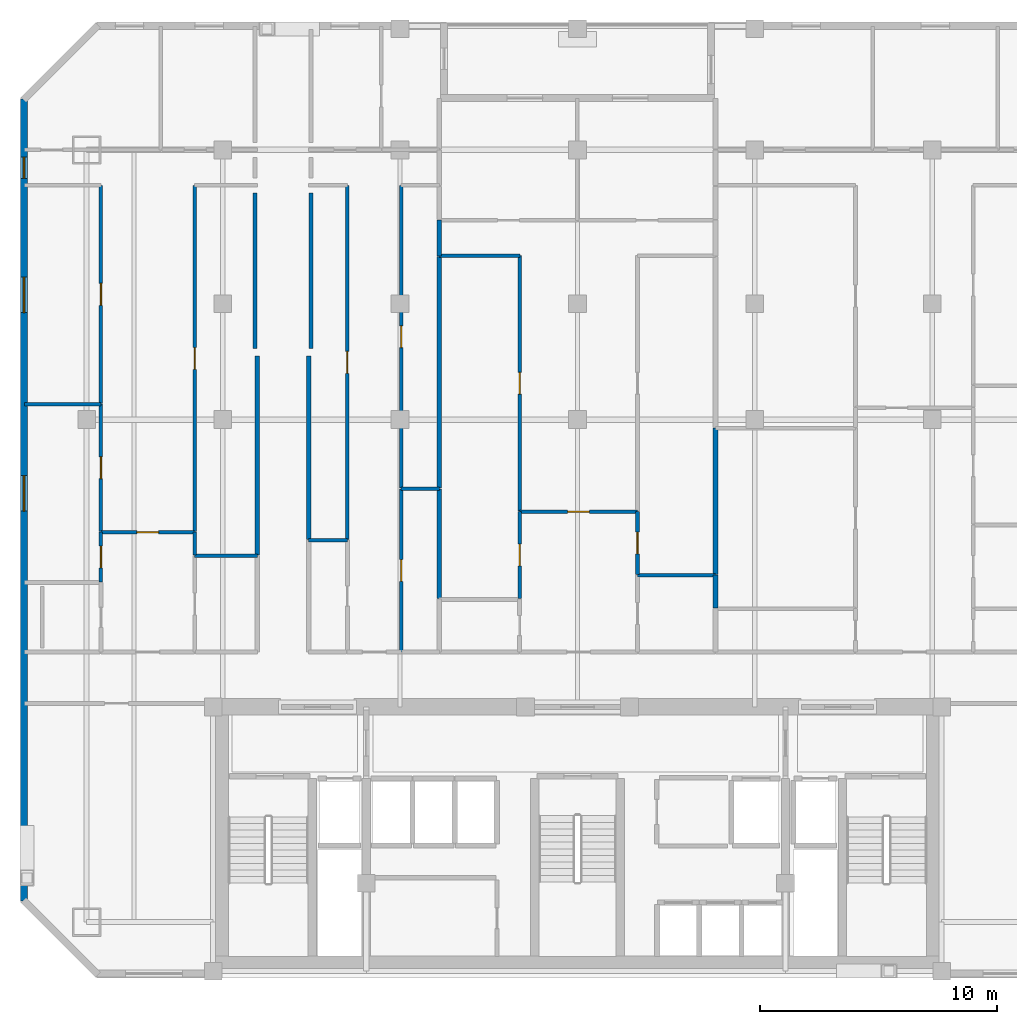
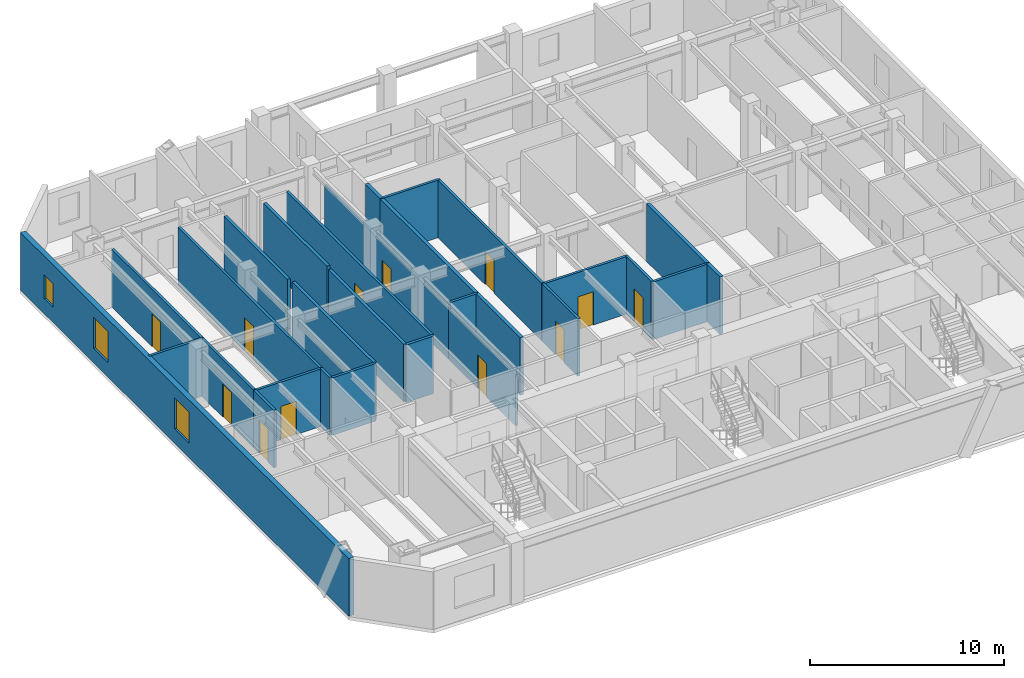
# One storey, part 4 of 8: 29 walls, 12 doors, 3 windows, 15 openings.
"""IFC4 building model written with IfcOpenShell, lengths in metres."""

from ifc_helpers import new_model, si_unit, direction, frame, frame_2d, origin, place, context, subcontext, project, spatial, rectangle, extrude, material, layer, layer_set, type_object, element, fill, save


model = new_model("IFC4")

# Units and contexts
model_context = context("Model", 3, precision=1e-05, world=origin(), true_north=direction((0.0, 1.0)))
body_context = subcontext(model_context, "Body", "Model", "MODEL_VIEW")
ifc_project = project(units=[si_unit("LENGTHUNIT", "METRE"), si_unit("AREAUNIT", "SQUARE_METRE"), si_unit("VOLUMEUNIT", "CUBIC_METRE"), si_unit("PLANEANGLEUNIT", "RADIAN"), si_unit("MASSUNIT", "GRAM", prefix="KILO")], contexts=[model_context])

# Site, building, storey
site_placement = place(None, origin())
site = spatial("IfcSite", under=ifc_project, at=site_placement, CompositionType="ELEMENT")
building_placement = place(site_placement, origin())
building = spatial("IfcBuilding", under=site, at=building_placement, Name="Ventersveld Concourse Tower", CompositionType="ELEMENT")
storey_placement = place(building_placement, frame((0.0, 0.0, 179.85009765625)))
storey = spatial("IfcBuildingStorey", under=building, at=storey_placement, Name="L44", CompositionType="ELEMENT", Elevation=179.85009765625)

# Walls
ifc_material_1 = material(Name="Fire-rated autoclaved aerated masonry blockwork", Category="masonry")
ifc_layer_1 = layer(ifc_material_1, 0.179931640625)
ifc_layer_set_1 = layer_set([ifc_layer_1], Name="Fire-rated autoclaved aerated masonry blockwork")
wall_type_1 = type_object("IfcWallType", Name="WL-CORR-180", PredefinedType="PARTITIONING", material=ifc_layer_set_1)
wall_1_placement = place(storey_placement, frame((15.2099609375, 17.875732421875, 0.0), z_axis=(0.0, 0.0, 1.0), x_axis=(0.0, 1.0, 0.0)))
element("IfcWall", 1, at=wall_1_placement, inside=storey, type_object=wall_type_1, Name="L44 Interior Partition SP-L44-COR-SP-L44-44NW-SEMR1", PredefinedType="PARTITIONING", context=body_context, shape_type="SweptSolid", body=[
    extrude(rectangle(XDim=8.419189453125, YDim=0.179931640625, at=frame_2d((4.20947265625, 0.0))), origin(), (0.0, 0.0, 1.0), 3.6298828125),
])
wall_2_placement = place(storey_placement, frame((17.389892578125, 18.533203125, 0.0), z_axis=(0.0, 0.0, 1.0), x_axis=(0.0, 1.0, 0.0)))
element("IfcWall", 2, at=wall_2_placement, inside=storey, type_object=wall_type_1, Name="L44 Interior Partition SP-L44-COR-SP-L44-44CW-OFFL0", PredefinedType="PARTITIONING", context=body_context, shape_type="SweptSolid", body=[
    extrude(rectangle(XDim=7.76171875, YDim=0.179931640625, at=frame_2d((3.880859375, 0.0))), origin(), (0.0, 0.0, 1.0), 3.6298828125),
])
for number, where, z_axis, x_axis, name in (
    (3, (15.1201171875, 33.175048828125, 0.0), (0.0, 0.0, 1.0), (0.0, -1.0, 0.0), "L44 Room Enclosure Wall SP-L44-44NW-SEMR1"),
    (4, (17.47998046875, 26.60986328125, 0.0), (0.0, 0.0, 1.0), (0.0, 1.0, 0.0), "L44 Room Enclosure Wall SP-L44-44CW-OFFL0"),
):
    element("IfcWall", number, at=place(storey_placement, frame(where, z_axis=z_axis, x_axis=x_axis)), inside=storey, type_object=wall_type_1, Name=name, PredefinedType="PARTITIONING", context=body_context, shape_type="SweptSolid", body=[
        extrude(rectangle(XDim=6.565185546875, YDim=0.179931640625, at=frame_2d((3.28271484375, 0.0))), origin(), (0.0, 0.0, 1.0), 3.6298828125),
    ])
ifc_layer_2 = layer(ifc_material_1, 0.199951171875)
ifc_layer_set_2 = layer_set([ifc_layer_2], Name="Fire-rated autoclaved aerated masonry blockwork")
wall_type_2 = type_object("IfcWallType", Name="WL-DEMISE-200", PredefinedType="PARTITIONING", material=ifc_layer_set_2)
wall_3_placement = place(storey_placement, frame((22.909912109375, 16.0361328125, 0.0), z_axis=(0.0, 0.0, 1.0), x_axis=(0.0, 1.0, 0.0)))
element("IfcWall", 5, at=wall_3_placement, inside=storey, type_object=wall_type_2, Name="L44 Interior Partition SP-L44-44CW-KIT-SP-L44-44CM-SEML0", PredefinedType="PARTITIONING", context=body_context, shape_type="SweptSolid", body=[
    extrude(rectangle(XDim=4.637451171875, YDim=0.199951171875, at=frame_2d((2.31884765625, 0.0))), origin(), (0.0, 0.0, 1.0), 3.6298828125),
])
wall_4_placement = place(storey_placement, frame((22.909912109375, 30.52490234375, 0.0), z_axis=(0.0, 0.0, 1.0), x_axis=(0.0, 1.0, 0.0)))
element("IfcWall", 6, at=wall_4_placement, inside=storey, type_object=wall_type_2, Name="L44 Interior Partition SP-L44-44CW-SEMR1-SP-L44-44CM-LIV", PredefinedType="PARTITIONING", context=body_context, shape_type="SweptSolid", body=[
    extrude(rectangle(XDim=1.510009765625, YDim=0.199951171875, at=frame_2d((0.7548828125, 0.0))), origin(), (0.0, 0.0, 1.0), 3.6298828125),
])
wall_5_placement = place(storey_placement, frame((22.909912109375, 20.70361328125, 0.0), z_axis=(0.0, 0.0, 1.0), x_axis=(0.0, 1.0, 0.0)))
element("IfcWall", 7, at=wall_5_placement, inside=storey, type_object=wall_type_2, Name="L44 Interior Partition SP-L44-44CW-SEMR1-SP-L44-44CM-SEML0", PredefinedType="PARTITIONING", context=body_context, shape_type="SweptSolid", body=[
    extrude(rectangle(XDim=9.79150390625, YDim=0.199951171875, at=frame_2d((4.895751953125, 0.0))), origin(), (0.0, 0.0, 1.0), 3.6298828125),
])
wall_6_placement = place(storey_placement, frame((34.590087890625, 15.635009765625, 0.0), z_axis=(0.0, 0.0, 1.0), x_axis=(0.0, 1.0, 0.0)))
element("IfcWall", 8, at=wall_6_placement, inside=storey, type_object=wall_type_2, Name="L44 Interior Partition SP-L44-44CE-OFFL0-SP-L44-44CM-KIT", PredefinedType="PARTITIONING", context=body_context, shape_type="SweptSolid", body=[
    extrude(rectangle(XDim=1.394775390625, YDim=0.199951171875, at=frame_2d((0.697265625, 0.0))), origin(), (0.0, 0.0, 1.0), 3.6298828125),
])
wall_7_placement = place(storey_placement, frame((34.590087890625, 17.059814453125, 0.0), z_axis=(0.0, 0.0, 1.0), x_axis=(0.0, 1.0, 0.0)))
element("IfcWall", 9, at=wall_7_placement, inside=storey, type_object=wall_type_2, Name="L44 Interior Partition SP-L44-44CE-OFFL0-SP-L44-44CM-SEMR1", PredefinedType="PARTITIONING", context=body_context, shape_type="SweptSolid", body=[
    extrude(rectangle(XDim=6.181640625, YDim=0.199951171875, at=frame_2d((3.0908203125, 0.0))), origin(), (0.0, 0.0, 1.0), 3.6298828125),
])

# Wall, opening, door
ifc_material_2 = material(Name="Autoclaved aerated masonry blockwork", Category="masonry")
ifc_layer_3 = layer(ifc_material_2, 0.14990234375)
ifc_layer_set_3 = layer_set([ifc_layer_3], Name="Autoclaved aerated masonry blockwork")
wall_type_3 = type_object("IfcWallType", Name="WL-INT-150", PredefinedType="PARTITIONING", material=ifc_layer_set_3)
wall_8_placement = place(storey_placement, frame((8.59765625, 18.83349609375, 0.0), z_axis=(0.0, 0.0, 1.0), x_axis=(1.0, 0.0, 0.0)))
wall_8 = element("IfcWall", 10, at=wall_8_placement, inside=storey, type_object=wall_type_3, Name="L44 Interior Partition SP-L44-44NW-FOY-SP-L44-44NW-LIV", PredefinedType="PARTITIONING", context=body_context, shape_type="SweptSolid", body=[
    extrude(rectangle(XDim=3.969970703125, YDim=0.14990234375, at=frame_2d((1.98486328125, 0.0))), origin(), (0.0, 0.0, 1.0), 3.6298828125),
])
opening_1_placement = place(wall_8_placement, frame((1.52490234375, 0.0, 0.0)))
opening_1 = element("IfcOpeningElement", 11, at=opening_1_placement, cuts=wall_8, Name="Opening ID1", PredefinedType="OPENING", context=body_context, shape_type="SweptSolid", body=[
    extrude(rectangle(XDim=0.919921875, YDim=2.10009765625, at=frame_2d((0.4599609375, 1.050048828125))), frame((0.0, 0.0849609375, 0.0), z_axis=(0.0, -1.0, 0.0), x_axis=(1.0, 0.0, 0.0)), (0.0, 0.0, 1.0), 0.169921875),
])
ifc_material_3 = material(Name="Solid-core hardwood veneer timber", Category="wood")
door_type = type_object("IfcDoorType", Name="DR-ROOM-092", OperationType="NOTDEFINED", PredefinedType="DOOR", material=ifc_material_3)
door_1_placement = place(opening_1_placement, origin())
door_1 = element("IfcDoor", 12, at=door_1_placement, inside=storey, type_object=door_type, Name="L44 Interior Door SP-L44-44NW-FOY to SP-L44-44NW-LIV (D-L44-2157)", OperationType="SINGLE_SWING_LEFT", OverallHeight=2.10009765625, OverallWidth=0.919921875, PredefinedType="DOOR", context=body_context, shape_type="SweptSolid", body=[
    extrude(rectangle(XDim=0.919921875, YDim=2.10009765625, at=frame_2d((0.4599609375, 1.050048828125))), frame((0.0, 0.02490234375, 0.0), z_axis=(0.0, -1.0, 0.0), x_axis=(1.0, 0.0, 0.0)), (0.0, 0.0, 1.0), 0.050048828125),
])
fill(opening_1, door_1)

wall_9_placement = place(storey_placement, frame((8.6025390625, 16.743408203125, 0.0), z_axis=(0.0, 0.0, 1.0), x_axis=(0.0, 1.0, 0.0)))
wall_9 = element("IfcWall", 13, at=wall_9_placement, inside=storey, type_object=wall_type_3, Name="L44 Interior Partition SP-L44-44NW-FOY-SP-L44-44NW-OFFL0", PredefinedType="PARTITIONING", context=body_context, shape_type="SweptSolid", body=[
    extrude(rectangle(XDim=2.094970703125, YDim=0.14990234375, at=frame_2d((1.04736328125, 0.0))), origin(), (0.0, 0.0, 1.0), 3.6298828125),
])
opening_2_placement = place(wall_9_placement, frame((0.58740234375, 0.0, 0.0)))
opening_2 = element("IfcOpeningElement", 14, at=opening_2_placement, cuts=wall_9, Name="Opening ID1", PredefinedType="OPENING", context=body_context, shape_type="SweptSolid", body=[
    extrude(rectangle(XDim=0.919921875, YDim=2.10009765625, at=frame_2d((0.4599609375, 1.050048828125))), frame((0.0, 0.0849609375, 0.0), z_axis=(0.0, -1.0, 0.0), x_axis=(1.0, 0.0, 0.0)), (0.0, 0.0, 1.0), 0.169921875),
])
door_2_placement = place(opening_2_placement, origin())
door_2 = element("IfcDoor", 15, at=door_2_placement, inside=storey, type_object=door_type, Name="L44 Interior Door SP-L44-44NW-FOY to SP-L44-44NW-OFFL0 (D-L44-2159)", OperationType="SINGLE_SWING_LEFT", OverallHeight=2.10009765625, OverallWidth=0.919921875, PredefinedType="DOOR", context=body_context, shape_type="SweptSolid", body=[
    extrude(rectangle(XDim=0.919921875, YDim=2.10009765625, at=frame_2d((0.4599609375, 1.050048828125))), frame((0.0, 0.02490234375, 0.0), z_axis=(0.0, -1.0, 0.0), x_axis=(1.0, 0.0, 0.0)), (0.0, 0.0, 1.0), 0.050048828125),
])
fill(opening_2, door_2)

# Wall
wall_10_placement = place(storey_placement, frame((12.5625, 17.875732421875, 0.0), z_axis=(0.0, 0.0, 1.0), x_axis=(0.0, 1.0, 0.0)))
element("IfcWall", 16, at=wall_10_placement, inside=storey, type_object=wall_type_3, Name="L44 Interior Partition SP-L44-44NW-FOY-SP-L44-44NW-SEMR1", PredefinedType="PARTITIONING", context=body_context, shape_type="SweptSolid", body=[
    extrude(rectangle(XDim=0.962646484375, YDim=0.14990234375, at=frame_2d((0.4814453125, 0.0))), origin(), (0.0, 0.0, 1.0), 3.6298828125),
])

# Wall, opening, door
wall_11_placement = place(storey_placement, frame((8.6025390625, 18.868408203125, 0.0), z_axis=(0.0, 0.0, 1.0), x_axis=(0.0, 1.0, 0.0)))
wall_11 = element("IfcWall", 17, at=wall_11_placement, inside=storey, type_object=wall_type_3, Name="L44 Interior Partition SP-L44-44NW-LIV-SP-L44-44NW-OFFL0", PredefinedType="PARTITIONING", context=body_context, shape_type="SweptSolid", body=[
    extrude(rectangle(XDim=5.384765625, YDim=0.14990234375, at=frame_2d((2.6923828125, 0.0))), origin(), (0.0, 0.0, 1.0), 3.6298828125),
])
opening_3_placement = place(wall_11_placement, frame((2.232421875, 0.0, 0.0)))
opening_3 = element("IfcOpeningElement", 18, at=opening_3_placement, cuts=wall_11, Name="Opening ID1", PredefinedType="OPENING", context=body_context, shape_type="SweptSolid", body=[
    extrude(rectangle(XDim=0.919921875, YDim=2.10009765625, at=frame_2d((0.4599609375, 1.050048828125))), frame((0.0, 0.0849609375, 0.0), z_axis=(0.0, -1.0, 0.0), x_axis=(1.0, 0.0, 0.0)), (0.0, 0.0, 1.0), 0.169921875),
])
door_3_placement = place(opening_3_placement, origin())
door_3 = element("IfcDoor", 19, at=door_3_placement, inside=storey, type_object=door_type, Name="L44 Interior Door SP-L44-44NW-LIV to SP-L44-44NW-OFFL0 (D-L44-2161)", OperationType="SINGLE_SWING_LEFT", OverallHeight=2.10009765625, OverallWidth=0.919921875, PredefinedType="DOOR", context=body_context, shape_type="SweptSolid", body=[
    extrude(rectangle(XDim=0.919921875, YDim=2.10009765625, at=frame_2d((0.4599609375, 1.050048828125))), frame((0.0, 0.02490234375, 0.0), z_axis=(0.0, -1.0, 0.0), x_axis=(1.0, 0.0, 0.0)), (0.0, 0.0, 1.0), 0.050048828125),
])
fill(opening_3, door_3)

wall_12_placement = place(storey_placement, frame((8.6025390625, 24.283203125, 0.0), z_axis=(0.0, 0.0, 1.0), x_axis=(0.0, 1.0, 0.0)))
wall_12 = element("IfcWall", 20, at=wall_12_placement, inside=storey, type_object=wall_type_3, Name="L44 Interior Partition SP-L44-44NW-LIV-SP-L44-44NW-SEML2", PredefinedType="PARTITIONING", context=body_context, shape_type="SweptSolid", body=[
    extrude(rectangle(XDim=9.2216796875, YDim=0.14990234375, at=frame_2d((4.61083984375, 0.0))), origin(), (0.0, 0.0, 1.0), 3.6298828125),
])
opening_4_placement = place(wall_12_placement, frame((4.15087890625, 0.0, 0.0)))
opening_4 = element("IfcOpeningElement", 21, at=opening_4_placement, cuts=wall_12, Name="Opening ID1", PredefinedType="OPENING", context=body_context, shape_type="SweptSolid", body=[
    extrude(rectangle(XDim=0.919921875, YDim=2.10009765625, at=frame_2d((0.4599609375, 1.050048828125))), frame((0.0, 0.0849609375, 0.0), z_axis=(0.0, -1.0, 0.0), x_axis=(1.0, 0.0, 0.0)), (0.0, 0.0, 1.0), 0.169921875),
])
door_4_placement = place(opening_4_placement, origin())
door_4 = element("IfcDoor", 22, at=door_4_placement, inside=storey, type_object=door_type, Name="L44 Interior Door SP-L44-44NW-LIV to SP-L44-44NW-SEML2 (D-L44-2162)", OperationType="SINGLE_SWING_RIGHT", OverallHeight=2.10009765625, OverallWidth=0.919921875, PredefinedType="DOOR", context=body_context, shape_type="SweptSolid", body=[
    extrude(rectangle(XDim=0.919921875, YDim=2.10009765625, at=frame_2d((0.4599609375, 1.050048828125))), frame((0.0, 0.02490234375, 0.0), z_axis=(0.0, -1.0, 0.0), x_axis=(1.0, 0.0, 0.0)), (0.0, 0.0, 1.0), 0.050048828125),
])
fill(opening_4, door_4)

wall_13_placement = place(storey_placement, frame((12.5625, 18.868408203125, 0.0), z_axis=(0.0, 0.0, 1.0), x_axis=(0.0, 1.0, 0.0)))
wall_13 = element("IfcWall", 23, at=wall_13_placement, inside=storey, type_object=wall_type_3, Name="L44 Interior Partition SP-L44-44NW-LIV-SP-L44-44NW-SEMR1", PredefinedType="PARTITIONING", context=body_context, shape_type="SweptSolid", body=[
    extrude(rectangle(XDim=14.636474609375, YDim=0.14990234375, at=frame_2d((7.318359375, 0.0))), origin(), (0.0, 0.0, 1.0), 3.6298828125),
])
opening_5_placement = place(wall_13_placement, frame((6.8583984375, 0.0, 0.0)))
opening_5 = element("IfcOpeningElement", 24, at=opening_5_placement, cuts=wall_13, Name="Opening ID1", PredefinedType="OPENING", context=body_context, shape_type="SweptSolid", body=[
    extrude(rectangle(XDim=0.919921875, YDim=2.10009765625, at=frame_2d((0.4599609375, 1.050048828125))), frame((0.0, 0.0849609375, 0.0), z_axis=(0.0, -1.0, 0.0), x_axis=(1.0, 0.0, 0.0)), (0.0, 0.0, 1.0), 0.169921875),
])
door_5_placement = place(opening_5_placement, origin())
door_5 = element("IfcDoor", 25, at=door_5_placement, inside=storey, type_object=door_type, Name="L44 Interior Door SP-L44-44NW-LIV to SP-L44-44NW-SEMR1 (D-L44-2163)", OperationType="SINGLE_SWING_LEFT", OverallHeight=2.10009765625, OverallWidth=0.919921875, PredefinedType="DOOR", context=body_context, shape_type="SweptSolid", body=[
    extrude(rectangle(XDim=0.919921875, YDim=2.10009765625, at=frame_2d((0.4599609375, 1.050048828125))), frame((0.0, 0.02490234375, 0.0), z_axis=(0.0, -1.0, 0.0), x_axis=(1.0, 0.0, 0.0)), (0.0, 0.0, 1.0), 0.050048828125),
])
fill(opening_5, door_5)

# Walls
wall_14_placement = place(storey_placement, frame((5.37255859375, 24.248046875, 0.0), z_axis=(0.0, 0.0, 1.0), x_axis=(1.0, 0.0, 0.0)))
element("IfcWall", 26, at=wall_14_placement, inside=storey, type_object=wall_type_3, Name="L44 Interior Partition SP-L44-44NW-OFFL0-SP-L44-44NW-SEML2", PredefinedType="PARTITIONING", context=body_context, shape_type="SweptSolid", body=[
    extrude(rectangle(XDim=3.235107421875, YDim=0.14990234375, at=frame_2d((1.61767578125, 0.0))), origin(), (0.0, 0.0, 1.0), 3.6298828125),
])
wall_15_placement = place(storey_placement, frame((12.5576171875, 17.8408203125, 0.0), z_axis=(0.0, 0.0, 1.0), x_axis=(1.0, 0.0, 0.0)))
element("IfcWall", 27, at=wall_15_placement, inside=storey, type_object=wall_type_3, Name="L44 Interior Partition SP-L44-44NW-KIT-SP-L44-44NW-SEMR1", PredefinedType="PARTITIONING", context=body_context, shape_type="SweptSolid", body=[
    extrude(rectangle(XDim=2.657470703125, YDim=0.14990234375, at=frame_2d((1.32861328125, 0.0))), origin(), (0.0, 0.0, 1.0), 3.6298828125),
])

# Wall, opening, door
wall_16_placement = place(storey_placement, frame((19.02099609375, 18.533203125, 0.0), z_axis=(0.0, 0.0, 1.0), x_axis=(0.0, 1.0, 0.0)))
wall_16 = element("IfcWall", 28, at=wall_16_placement, inside=storey, type_object=wall_type_3, Name="L44 Interior Partition SP-L44-44CW-LIV-SP-L44-44CW-OFFL0", PredefinedType="PARTITIONING", context=body_context, shape_type="SweptSolid", body=[
    extrude(rectangle(XDim=14.9716796875, YDim=0.14990234375, at=frame_2d((7.48583984375, 0.0))), origin(), (0.0, 0.0, 1.0), 3.6298828125),
])
opening_6_placement = place(wall_16_placement, frame((7.02587890625, 0.0, 0.0)))
opening_6 = element("IfcOpeningElement", 29, at=opening_6_placement, cuts=wall_16, Name="Opening ID1", PredefinedType="OPENING", context=body_context, shape_type="SweptSolid", body=[
    extrude(rectangle(XDim=0.919921875, YDim=2.10009765625, at=frame_2d((0.4599609375, 1.050048828125))), frame((0.0, 0.0849609375, 0.0), z_axis=(0.0, -1.0, 0.0), x_axis=(1.0, 0.0, 0.0)), (0.0, 0.0, 1.0), 0.169921875),
])
door_6_placement = place(opening_6_placement, origin())
door_6 = element("IfcDoor", 30, at=door_6_placement, inside=storey, type_object=door_type, Name="L44 Interior Door SP-L44-44CW-LIV to SP-L44-44CW-OFFL0 (D-L44-2167)", OperationType="SINGLE_SWING_LEFT", OverallHeight=2.10009765625, OverallWidth=0.919921875, PredefinedType="DOOR", context=body_context, shape_type="SweptSolid", body=[
    extrude(rectangle(XDim=0.919921875, YDim=2.10009765625, at=frame_2d((0.4599609375, 1.050048828125))), frame((0.0, 0.02490234375, 0.0), z_axis=(0.0, -1.0, 0.0), x_axis=(1.0, 0.0, 0.0)), (0.0, 0.0, 1.0), 0.050048828125),
])
fill(opening_6, door_6)

wall_17_placement = place(storey_placement, frame((21.301025390625, 13.764892578125, 0.0), z_axis=(0.0, 0.0, 1.0), x_axis=(0.0, 1.0, 0.0)))
wall_17 = element("IfcWall", 31, at=wall_17_placement, inside=storey, type_object=wall_type_3, Name="L44 Interior Partition SP-L44-44CW-LIV-SP-L44-44CW-KIT", PredefinedType="PARTITIONING", context=body_context, shape_type="SweptSolid", body=[
    extrude(rectangle(XDim=6.90869140625, YDim=0.14990234375, at=frame_2d((3.454345703125, 0.0))), origin(), (0.0, 0.0, 1.0), 3.223388671875),
])
opening_7_placement = place(wall_17_placement, frame((2.994384765625, 0.0, 0.0)))
opening_7 = element("IfcOpeningElement", 32, at=opening_7_placement, cuts=wall_17, Name="Opening ID1", PredefinedType="OPENING", context=body_context, shape_type="SweptSolid", body=[
    extrude(rectangle(XDim=0.919921875, YDim=2.10009765625, at=frame_2d((0.4599609375, 1.050048828125))), frame((0.0, 0.0849609375, 0.0), z_axis=(0.0, -1.0, 0.0), x_axis=(1.0, 0.0, 0.0)), (0.0, 0.0, 1.0), 0.169921875),
])
door_7_placement = place(opening_7_placement, origin())
door_7 = element("IfcDoor", 33, at=door_7_placement, inside=storey, type_object=door_type, Name="L44 Interior Door SP-L44-44CW-LIV to SP-L44-44CW-KIT (D-L44-2168)", OperationType="SINGLE_SWING_RIGHT", OverallHeight=2.10009765625, OverallWidth=0.919921875, PredefinedType="DOOR", context=body_context, shape_type="SweptSolid", body=[
    extrude(rectangle(XDim=0.919921875, YDim=2.10009765625, at=frame_2d((0.4599609375, 1.050048828125))), frame((0.0, 0.02490234375, 0.0), z_axis=(0.0, -1.0, 0.0), x_axis=(1.0, 0.0, 0.0)), (0.0, 0.0, 1.0), 0.050048828125),
])
fill(opening_7, door_7)

wall_18_placement = place(storey_placement, frame((21.301025390625, 20.70361328125, 0.0), z_axis=(0.0, 0.0, 1.0), x_axis=(0.0, 1.0, 0.0)))
wall_18 = element("IfcWall", 34, at=wall_18_placement, inside=storey, type_object=wall_type_3, Name="L44 Interior Partition SP-L44-44CW-LIV-SP-L44-44CW-SEMR1", PredefinedType="PARTITIONING", context=body_context, shape_type="SweptSolid", body=[
    extrude(rectangle(XDim=12.80126953125, YDim=0.14990234375, at=frame_2d((6.400634765625, 0.0))), origin(), (0.0, 0.0, 1.0), 3.223388671875),
])
opening_8_placement = place(wall_18_placement, frame((5.94091796875, 0.0, 0.0)))
opening_8 = element("IfcOpeningElement", 35, at=opening_8_placement, cuts=wall_18, Name="Opening ID1", PredefinedType="OPENING", context=body_context, shape_type="SweptSolid", body=[
    extrude(rectangle(XDim=0.919921875, YDim=2.10009765625, at=frame_2d((0.4599609375, 1.050048828125))), frame((0.0, 0.0849609375, 0.0), z_axis=(0.0, -1.0, 0.0), x_axis=(1.0, 0.0, 0.0)), (0.0, 0.0, 1.0), 0.169921875),
])
door_8_placement = place(opening_8_placement, origin())
door_8 = element("IfcDoor", 36, at=door_8_placement, inside=storey, type_object=door_type, Name="L44 Interior Door SP-L44-44CW-LIV to SP-L44-44CW-SEMR1 (D-L44-2169)", OperationType="SINGLE_SWING_LEFT", OverallHeight=2.10009765625, OverallWidth=0.919921875, PredefinedType="DOOR", context=body_context, shape_type="SweptSolid", body=[
    extrude(rectangle(XDim=0.919921875, YDim=2.10009765625, at=frame_2d((0.4599609375, 1.050048828125))), frame((0.0, 0.02490234375, 0.0), z_axis=(0.0, -1.0, 0.0), x_axis=(1.0, 0.0, 0.0)), (0.0, 0.0, 1.0), 0.050048828125),
])
fill(opening_8, door_8)

# Wall
wall_19_placement = place(storey_placement, frame((21.296142578125, 20.66845703125, 0.0), z_axis=(0.0, 0.0, 1.0), x_axis=(1.0, 0.0, 0.0)))
element("IfcWall", 37, at=wall_19_placement, inside=storey, type_object=wall_type_3, Name="L44 Interior Partition SP-L44-44CW-KIT-SP-L44-44CW-SEMR1", PredefinedType="PARTITIONING", context=body_context, shape_type="SweptSolid", body=[
    extrude(rectangle(XDim=1.618896484375, YDim=0.14990234375, at=frame_2d((0.8095703125, 0.0))), origin(), (0.0, 0.0, 1.0), 3.6298828125),
])

# Wall, opening, door
wall_20_placement = place(storey_placement, frame((26.302734375, 19.705810546875, 0.0), z_axis=(0.0, 0.0, 1.0), x_axis=(1.0, 0.0, 0.0)))
wall_20 = element("IfcWall", 38, at=wall_20_placement, inside=storey, type_object=wall_type_3, Name="L44 Interior Partition SP-L44-44CM-FOY-SP-L44-44CM-LIV", PredefinedType="PARTITIONING", context=body_context, shape_type="SweptSolid", body=[
    extrude(rectangle(XDim=4.989990234375, YDim=0.14990234375, at=frame_2d((2.4951171875, 0.0))), origin(), (0.0, 0.0, 1.0), 3.6298828125),
])
opening_9_placement = place(wall_20_placement, frame((2.034912109375, 0.0, 0.0)))
opening_9 = element("IfcOpeningElement", 39, at=opening_9_placement, cuts=wall_20, Name="Opening ID1", PredefinedType="OPENING", context=body_context, shape_type="SweptSolid", body=[
    extrude(rectangle(XDim=0.919921875, YDim=2.10009765625, at=frame_2d((0.4599609375, 1.050048828125))), frame((0.0, 0.0849609375, 0.0), z_axis=(0.0, -1.0, 0.0), x_axis=(1.0, 0.0, 0.0)), (0.0, 0.0, 1.0), 0.169921875),
])
door_9_placement = place(opening_9_placement, origin())
door_9 = element("IfcDoor", 40, at=door_9_placement, inside=storey, type_object=door_type, Name="L44 Interior Door SP-L44-44CM-FOY to SP-L44-44CM-LIV (D-L44-2183)", OperationType="SINGLE_SWING_LEFT", OverallHeight=2.10009765625, OverallWidth=0.919921875, PredefinedType="DOOR", context=body_context, shape_type="SweptSolid", body=[
    extrude(rectangle(XDim=0.919921875, YDim=2.10009765625, at=frame_2d((0.4599609375, 1.050048828125))), frame((0.0, 0.02490234375, 0.0), z_axis=(0.0, -1.0, 0.0), x_axis=(1.0, 0.0, 0.0)), (0.0, 0.0, 1.0), 0.050048828125),
])
fill(opening_9, door_9)

wall_21_placement = place(storey_placement, frame((26.307861328125, 16.0361328125, 0.0), z_axis=(0.0, 0.0, 1.0), x_axis=(0.0, 1.0, 0.0)))
wall_21 = element("IfcWall", 41, at=wall_21_placement, inside=storey, type_object=wall_type_3, Name="L44 Interior Partition SP-L44-44CM-FOY-SP-L44-44CM-SEML0", PredefinedType="PARTITIONING", context=body_context, shape_type="SweptSolid", body=[
    extrude(rectangle(XDim=3.674560546875, YDim=0.14990234375, at=frame_2d((1.83740234375, 0.0))), origin(), (0.0, 0.0, 1.0), 3.6298828125),
])
opening_10_placement = place(wall_21_placement, frame((1.377197265625, 0.0, 0.0)))
opening_10 = element("IfcOpeningElement", 42, at=opening_10_placement, cuts=wall_21, Name="Opening ID1", PredefinedType="OPENING", context=body_context, shape_type="SweptSolid", body=[
    extrude(rectangle(XDim=0.919921875, YDim=2.10009765625, at=frame_2d((0.4599609375, 1.050048828125))), frame((0.0, 0.0849609375, 0.0), z_axis=(0.0, -1.0, 0.0), x_axis=(1.0, 0.0, 0.0)), (0.0, 0.0, 1.0), 0.169921875),
])
door_10_placement = place(opening_10_placement, origin())
door_10 = element("IfcDoor", 43, at=door_10_placement, inside=storey, type_object=door_type, Name="L44 Interior Door SP-L44-44CM-FOY to SP-L44-44CM-SEML0 (D-L44-2185)", OperationType="SINGLE_SWING_LEFT", OverallHeight=2.10009765625, OverallWidth=0.919921875, PredefinedType="DOOR", context=body_context, shape_type="SweptSolid", body=[
    extrude(rectangle(XDim=0.919921875, YDim=2.10009765625, at=frame_2d((0.4599609375, 1.050048828125))), frame((0.0, 0.02490234375, 0.0), z_axis=(0.0, -1.0, 0.0), x_axis=(1.0, 0.0, 0.0)), (0.0, 0.0, 1.0), 0.050048828125),
])
fill(opening_10, door_10)

wall_22_placement = place(storey_placement, frame((31.287841796875, 17.059814453125, 0.0), z_axis=(0.0, 0.0, 1.0), x_axis=(0.0, 1.0, 0.0)))
wall_22 = element("IfcWall", 44, at=wall_22_placement, inside=storey, type_object=wall_type_3, Name="L44 Interior Partition SP-L44-44CM-FOY-SP-L44-44CM-SEMR1", PredefinedType="PARTITIONING", context=body_context, shape_type="SweptSolid", body=[
    extrude(rectangle(XDim=2.65087890625, YDim=0.14990234375, at=frame_2d((1.325439453125, 0.0))), origin(), (0.0, 0.0, 1.0), 3.6298828125),
])
opening_11_placement = place(wall_22_placement, frame((0.865478515625, 0.0, 0.0)))
opening_11 = element("IfcOpeningElement", 45, at=opening_11_placement, cuts=wall_22, Name="Opening ID1", PredefinedType="OPENING", context=body_context, shape_type="SweptSolid", body=[
    extrude(rectangle(XDim=0.919921875, YDim=2.10009765625, at=frame_2d((0.4599609375, 1.050048828125))), frame((0.0, 0.0849609375, 0.0), z_axis=(0.0, -1.0, 0.0), x_axis=(1.0, 0.0, 0.0)), (0.0, 0.0, 1.0), 0.169921875),
])
door_11_placement = place(opening_11_placement, origin())
door_11 = element("IfcDoor", 46, at=door_11_placement, inside=storey, type_object=door_type, Name="L44 Interior Door SP-L44-44CM-FOY to SP-L44-44CM-SEMR1 (D-L44-2187)", OperationType="SINGLE_SWING_LEFT", OverallHeight=2.10009765625, OverallWidth=0.919921875, PredefinedType="DOOR", context=body_context, shape_type="SweptSolid", body=[
    extrude(rectangle(XDim=0.919921875, YDim=2.10009765625, at=frame_2d((0.4599609375, 1.050048828125))), frame((0.0, 0.02490234375, 0.0), z_axis=(0.0, -1.0, 0.0), x_axis=(1.0, 0.0, 0.0)), (0.0, 0.0, 1.0), 0.050048828125),
])
fill(opening_11, door_11)

wall_23_placement = place(storey_placement, frame((26.307861328125, 19.74072265625, 0.0), z_axis=(0.0, 0.0, 1.0), x_axis=(0.0, 1.0, 0.0)))
wall_23 = element("IfcWall", 47, at=wall_23_placement, inside=storey, type_object=wall_type_3, Name="L44 Interior Partition SP-L44-44CM-LIV-SP-L44-44CM-SEML0", PredefinedType="PARTITIONING", context=body_context, shape_type="SweptSolid", body=[
    extrude(rectangle(XDim=10.794189453125, YDim=0.14990234375, at=frame_2d((5.39697265625, 0.0))), origin(), (0.0, 0.0, 1.0), 3.6298828125),
])
opening_12_placement = place(wall_23_placement, frame((4.93701171875, 0.0, 0.0)))
opening_12 = element("IfcOpeningElement", 48, at=opening_12_placement, cuts=wall_23, Name="Opening ID1", PredefinedType="OPENING", context=body_context, shape_type="SweptSolid", body=[
    extrude(rectangle(XDim=0.919921875, YDim=2.10009765625, at=frame_2d((0.4599609375, 1.050048828125))), frame((0.0, 0.0849609375, 0.0), z_axis=(0.0, -1.0, 0.0), x_axis=(1.0, 0.0, 0.0)), (0.0, 0.0, 1.0), 0.169921875),
])
door_12_placement = place(opening_12_placement, origin())
door_12 = element("IfcDoor", 49, at=door_12_placement, inside=storey, type_object=door_type, Name="L44 Interior Door SP-L44-44CM-LIV to SP-L44-44CM-SEML0 (D-L44-2188)", OperationType="SINGLE_SWING_RIGHT", OverallHeight=2.10009765625, OverallWidth=0.919921875, PredefinedType="DOOR", context=body_context, shape_type="SweptSolid", body=[
    extrude(rectangle(XDim=0.919921875, YDim=2.10009765625, at=frame_2d((0.4599609375, 1.050048828125))), frame((0.0, 0.02490234375, 0.0), z_axis=(0.0, -1.0, 0.0), x_axis=(1.0, 0.0, 0.0)), (0.0, 0.0, 1.0), 0.050048828125),
])
fill(opening_12, door_12)

# Walls
wall_24_placement = place(storey_placement, frame((22.905029296875, 30.530029296875, 0.0), z_axis=(0.0, 0.0, 1.0), x_axis=(1.0, 0.0, 0.0)))
element("IfcWall", 50, at=wall_24_placement, inside=storey, type_object=wall_type_3, Name="L44 Interior Partition SP-L44-44CM-LIV-SP-L44-44CM-SEML0", PredefinedType="PARTITIONING", context=body_context, shape_type="SweptSolid", body=[
    extrude(rectangle(XDim=3.40771484375, YDim=0.14990234375, at=frame_2d((1.703857421875, 0.0))), origin(), (0.0, 0.0, 1.0), 3.6298828125),
])
wall_25_placement = place(storey_placement, frame((31.28271484375, 17.02490234375, 0.0), z_axis=(0.0, 0.0, 1.0), x_axis=(1.0, 0.0, 0.0)))
element("IfcWall", 51, at=wall_25_placement, inside=storey, type_object=wall_type_3, Name="L44 Interior Partition SP-L44-44CM-KIT-SP-L44-44CM-SEMR1", PredefinedType="PARTITIONING", context=body_context, shape_type="SweptSolid", body=[
    extrude(rectangle(XDim=3.312255859375, YDim=0.14990234375, at=frame_2d((1.65625, 0.0))), origin(), (0.0, 0.0, 1.0), 3.6298828125),
])

# Wall, openings, windows
ifc_material_4 = material(Name="Precast concrete C45/55", Category="concrete")
ifc_layer_4 = layer(ifc_material_4, 0.300048828125)
ifc_layer_set_4 = layer_set([ifc_layer_4], Name="Precast concrete C45/55")
wall_type_4 = type_object("IfcWallType", Name="WL-PREC-300", PredefinedType="SOLIDWALL", material=ifc_layer_set_4)
wall_26_placement = place(storey_placement, frame((5.35009765625, 37.159912109375, 0.0), z_axis=(0.0, 0.0, 1.0), x_axis=(0.0, -1.0, 0.0)))
wall_26 = element("IfcWall", 52, at=wall_26_placement, inside=storey, type_object=wall_type_4, Name="L44 Highveld Precast Facade Wall E11", PredefinedType="SOLIDWALL", context=body_context, shape_type="SweptSolid", body=[
    extrude(rectangle(XDim=33.919921875, YDim=0.300048828125, at=frame_2d((16.9599609375, 0.0))), origin(), (0.0, 0.0, 1.0), 3.6298828125),
])
opening_13_placement = place(wall_26_placement, frame((2.4599609375, 0.0, 0.949951171875)))
opening_13 = element("IfcOpeningElement", 53, at=opening_13_placement, cuts=wall_26, Name="Opening W4", PredefinedType="OPENING", context=body_context, shape_type="SweptSolid", body=[
    extrude(rectangle(XDim=0.89990234375, YDim=1.5, at=frame_2d((0.449951171875, 0.75))), frame((0.0, 0.16015625, 0.0), z_axis=(0.0, -1.0, 0.0), x_axis=(1.0, 0.0, 0.0)), (0.0, 0.0, 1.0), 0.320068359375),
])
opening_14_placement = place(wall_26_placement, frame((15.931640625, 0.0, 0.89990234375)))
opening_14 = element("IfcOpeningElement", 54, at=opening_14_placement, cuts=wall_26, Name="Opening W1", PredefinedType="OPENING", context=body_context, shape_type="SweptSolid", body=[
    extrude(rectangle(XDim=1.5, YDim=1.949951171875, at=frame_2d((0.75, 0.97509765625))), frame((0.0, 0.16015625, 0.0), z_axis=(0.0, -1.0, 0.0), x_axis=(1.0, 0.0, 0.0)), (0.0, 0.0, 1.0), 0.320068359375),
])
opening_15_placement = place(wall_26_placement, frame((7.535888671875, 0.0, 0.89990234375)))
opening_15 = element("IfcOpeningElement", 55, at=opening_15_placement, cuts=wall_26, Name="Opening W1", PredefinedType="OPENING", context=body_context, shape_type="SweptSolid", body=[
    extrude(rectangle(XDim=1.5, YDim=1.949951171875, at=frame_2d((0.75, 0.97509765625))), frame((0.0, 0.16015625, 0.0), z_axis=(0.0, -1.0, 0.0), x_axis=(1.0, 0.0, 0.0)), (0.0, 0.0, 1.0), 0.320068359375),
])
ifc_material_5 = material(Name="Tempered acoustic Low-E IGU", Category="glass")
window_type_1 = type_object("IfcWindowType", Name="WIN-090x150", PartitioningType="SINGLE_PANEL", PredefinedType="WINDOW", material=ifc_material_5)
window_1_placement = place(opening_13_placement, origin())
window_1 = element("IfcWindow", 56, at=window_1_placement, inside=storey, type_object=window_type_1, Name="L44 Punched Low-E Window W-0602", OverallHeight=1.5, OverallWidth=0.89990234375, PartitioningType="SINGLE_PANEL", PredefinedType="WINDOW", context=body_context, shape_type="SweptSolid", body=[
    extrude(rectangle(XDim=0.89990234375, YDim=1.5, at=frame_2d((0.449951171875, 0.75))), frame((0.0, 0.030029296875, 0.0), z_axis=(0.0, -1.0, 0.0), x_axis=(1.0, 0.0, 0.0)), (0.0, 0.0, 1.0), 0.06005859375),
])
fill(opening_13, window_1)
window_type_2 = type_object("IfcWindowType", Name="WIN-150x210", PartitioningType="SINGLE_PANEL", PredefinedType="WINDOW", material=ifc_material_5)
window_2_placement = place(opening_14_placement, origin())
window_2 = element("IfcWindow", 57, at=window_2_placement, inside=storey, type_object=window_type_2, Name="L44 Punched Low-E Window W-0603", OverallHeight=1.949951171875, OverallWidth=1.5, PartitioningType="SINGLE_PANEL", PredefinedType="WINDOW", context=body_context, shape_type="SweptSolid", body=[
    extrude(rectangle(XDim=1.5, YDim=1.949951171875, at=frame_2d((0.75, 0.97509765625))), frame((0.0, 0.030029296875, 0.0), z_axis=(0.0, -1.0, 0.0), x_axis=(1.0, 0.0, 0.0)), (0.0, 0.0, 1.0), 0.06005859375),
])
fill(opening_14, window_2)
window_3_placement = place(opening_15_placement, origin())
window_3 = element("IfcWindow", 58, at=window_3_placement, inside=storey, type_object=window_type_2, Name="L44 Punched Low-E Window W-0604", OverallHeight=1.949951171875, OverallWidth=1.5, PartitioningType="SINGLE_PANEL", PredefinedType="WINDOW", context=body_context, shape_type="SweptSolid", body=[
    extrude(rectangle(XDim=1.5, YDim=1.949951171875, at=frame_2d((0.75, 0.97509765625))), frame((0.0, 0.030029296875, 0.0), z_axis=(0.0, -1.0, 0.0), x_axis=(1.0, 0.0, 0.0)), (0.0, 0.0, 1.0), 0.06005859375),
])
fill(opening_15, window_3)

# Wall
ifc_layer_5 = layer(ifc_material_2, 0.1650390625)
ifc_layer_set_5 = layer_set([ifc_layer_5], Name="Autoclaved aerated masonry blockwork")
wall_type_5 = type_object("IfcWallType", Name="WL-WET-165", PredefinedType="PLUMBINGWALL", material=ifc_layer_set_5)
wall_27_placement = place(storey_placement, frame((17.385009765625, 18.498291015625, 0.0), z_axis=(0.0, 0.0, 1.0), x_axis=(1.0, 0.0, 0.0)))
element("IfcWall", 59, at=wall_27_placement, inside=storey, type_object=wall_type_5, Name="L44 Interior Partition SP-L44-44CW-BATH-SP-L44-44CW-OFFL0", PredefinedType="PLUMBINGWALL", context=body_context, shape_type="SweptSolid", body=[
    extrude(rectangle(XDim=1.64111328125, YDim=0.1650390625, at=frame_2d((0.820556640625, 0.0))), origin(), (0.0, 0.0, 1.0), 3.6298828125),
])

save(model, "model.ifc")
